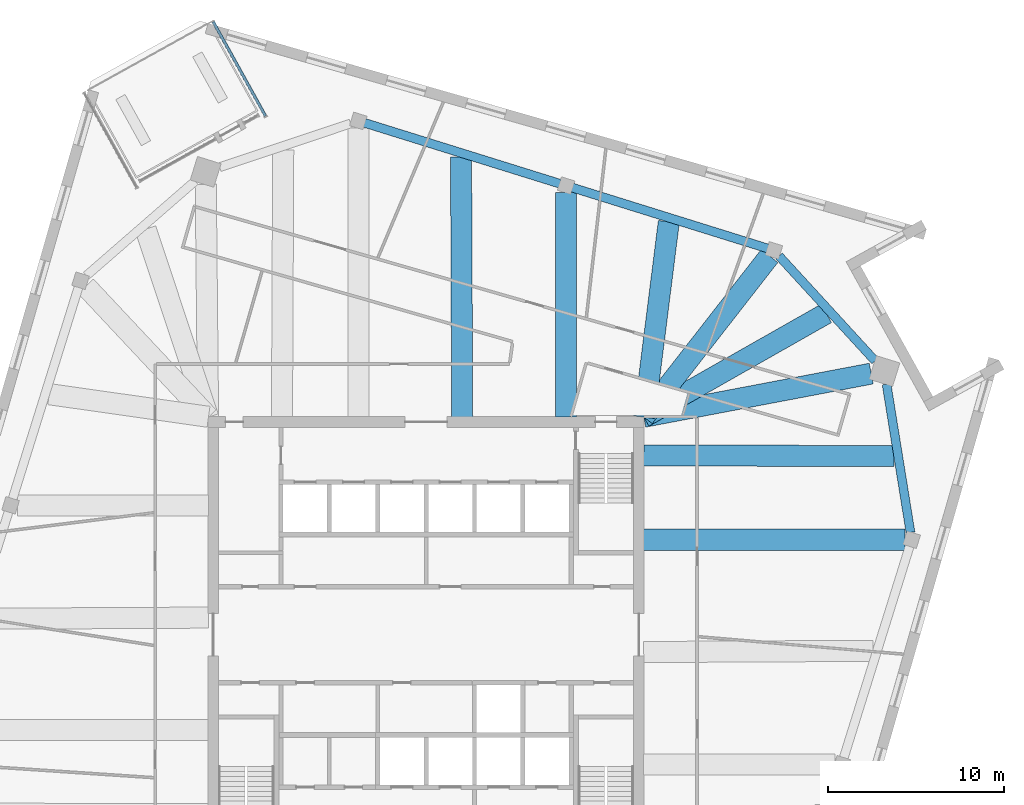
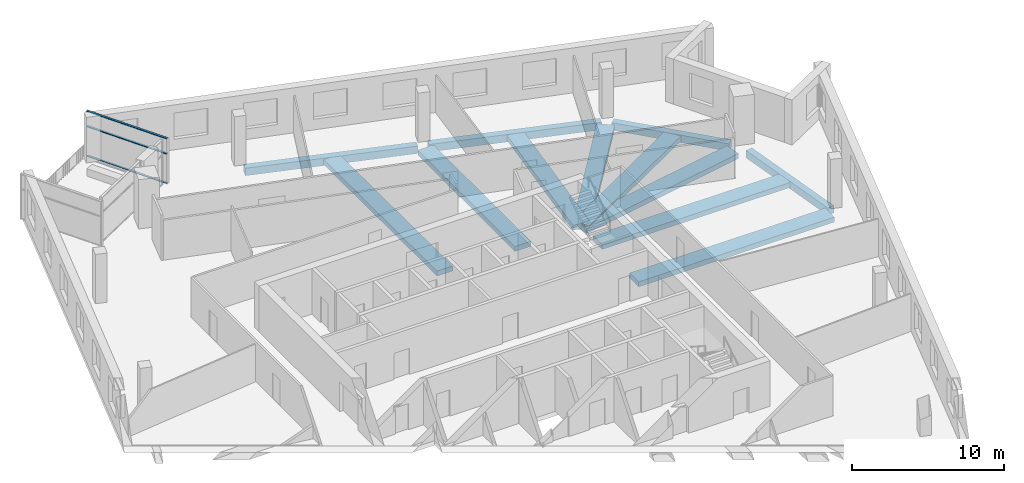
# One storey, part 3 of 15: 12 beams, 3 members, 1 element without a shape of its own.
"""IFC4 building model written with IfcOpenShell, lengths in metres."""

from ifc_helpers import new_model, si_unit, direction, frame, origin, origin_2d, place, context, subcontext, project, spatial, rectangle, extrude, material, material_profile, profile_set, type_object, element, aggregate, save


model = new_model("IFC4")

# Units and contexts
model_context = context("Model", 3, precision=1e-05, world=origin(), true_north=direction((0.0, 1.0)))
body_context = subcontext(model_context, "Body", "Model", "MODEL_VIEW")
ifc_project = project(units=[si_unit("LENGTHUNIT", "METRE"), si_unit("AREAUNIT", "SQUARE_METRE"), si_unit("VOLUMEUNIT", "CUBIC_METRE"), si_unit("PLANEANGLEUNIT", "RADIAN"), si_unit("MASSUNIT", "GRAM", prefix="KILO")], contexts=[model_context])

# Site, building, storey
site_placement = place(None, origin())
site = spatial("IfcSite", under=ifc_project, at=site_placement, CompositionType="ELEMENT")
building_placement = place(site_placement, origin())
building = spatial("IfcBuilding", under=site, at=building_placement, Name="Dilmun Exchange Tower", CompositionType="ELEMENT")
storey_placement = place(building_placement, frame((0.0, 0.0, 324.5)))
storey = spatial("IfcBuildingStorey", under=building, at=storey_placement, Name="L77", CompositionType="ELEMENT", Elevation=324.5)

# Curtain wall, members
ifc_material_1 = material(Name="Anodised aluminium and clear glass", Category="aluminium")
curtain_wall_type = type_object("IfcCurtainWallType", Name="Garden corner glazing", PredefinedType="NOTDEFINED", material=ifc_material_1)
curtain_wall_placement = place(storey_placement, origin())
curtain_wall = element("IfcCurtainWall", 1, at=curtain_wall_placement, inside=storey, type_object=curtain_wall_type, Name="Garden corner glazing run GC1.1", PredefinedType="NOTDEFINED")
ifc_material_2 = material(Name="Anodised aluminium", Category="aluminium")
ifc_material_profile_1 = material_profile(ifc_material_2, rectangle(XDim=0.159912109375, YDim=0.06005859375, at=origin_2d()), Name="AL 60x160")
ifc_profile_set_1 = profile_set([ifc_material_profile_1], Name="Anodised aluminium")
member_type = type_object("IfcMemberType", Name="Garden corner glazing transom 60 x 160", PredefinedType="USERDEFINED", material=ifc_profile_set_1)
member_1_placement = place(storey_placement, frame((-12.1064453125, 34.85693359375, 0.030029296875), z_axis=(0.484796793564, -0.874626816963, 0.0), x_axis=(0.874626816963, 0.484796793564, 0.0)))
member_1 = element("IfcMember", 2, at=member_1_placement, type_object=member_type, Name="GC1.1 transom 1.1", ObjectType="TRANSOM", PredefinedType="USERDEFINED", context=body_context, shape_type="SweptSolid", body=[
    extrude(rectangle(XDim=0.159912109375, YDim=0.06005859375, at=origin_2d()), origin(), (0.0, 0.0, 1.0), 6.126220703125),
])
member_2_placement = place(storey_placement, frame((-12.1064453125, 34.85693359375, 2.39990234375), z_axis=(0.484796793564, -0.874626816963, 0.0), x_axis=(0.874626816963, 0.484796793564, 0.0)))
member_2 = element("IfcMember", 3, at=member_2_placement, type_object=member_type, Name="GC1.1 transom 1.2", ObjectType="TRANSOM", PredefinedType="USERDEFINED", context=body_context, shape_type="SweptSolid", body=[
    extrude(rectangle(XDim=0.159912109375, YDim=0.06005859375, at=origin_2d()), origin(), (0.0, 0.0, 1.0), 6.126220703125),
])
member_3_placement = place(storey_placement, frame((-12.1064453125, 34.85693359375, 3.6201171875), z_axis=(0.484796793564, -0.874626816963, 0.0), x_axis=(0.874626816963, 0.484796793564, 0.0)))
member_3 = element("IfcMember", 4, at=member_3_placement, type_object=member_type, Name="GC1.1 transom 1.3", ObjectType="TRANSOM", PredefinedType="USERDEFINED", context=body_context, shape_type="SweptSolid", body=[
    extrude(rectangle(XDim=0.159912109375, YDim=0.06005859375, at=origin_2d()), origin(), (0.0, 0.0, 1.0), 6.126220703125),
])
aggregate(curtain_wall, [member_1, member_2, member_3])

# Beams
ifc_material_3 = material(Name="Concrete C40/50", Category="concrete")
ifc_material_profile_2 = material_profile(ifc_material_3, rectangle(XDim=1.199951171875, YDim=0.39990234375, at=origin_2d()), Name="1200 x 400")
ifc_profile_set_2 = profile_set([ifc_material_profile_2], Name="Concrete C40/50")
beam_type_1 = type_object("IfcBeamType", Name="RC band beam 1200 x 400 C40/50", PredefinedType="BEAM", material=ifc_profile_set_2)
beam_1_placement = place(storey_placement, frame((27.216064453125, 5.406005859375, -0.64990234375), z_axis=(-1.0, 0.0, 0.0), x_axis=(0.0, -1.0, 0.0)))
element("IfcBeam", 5, at=beam_1_placement, inside=storey, type_object=beam_type_1, Name="Band beam 12", PredefinedType="BEAM", context=body_context, shape_type="SweptSolid", body=[
    extrude(rectangle(XDim=1.199951171875, YDim=0.39990234375, at=origin_2d()), origin(), (0.0, 0.0, 1.0), 14.843017578125),
])
beam_2_placement = place(storey_placement, frame((25.30712890625, 14.85205078125, -0.64990234375), z_axis=(-0.982429348436, -0.18663487169, 0.0), x_axis=(0.18663487169, -0.982429348436, 0.0)))
element("IfcBeam", 6, at=beam_2_placement, inside=storey, type_object=beam_type_1, Name="Band beam 13", PredefinedType="BEAM", context=body_context, shape_type="SweptSolid", body=[
    extrude(rectangle(XDim=1.199951171875, YDim=0.39990234375, at=origin_2d()), origin(), (0.0, 0.0, 1.0), 13.164794921875),
])
beam_3_placement = place(storey_placement, frame((19.52685546875, 21.541259765625, -0.64990234375), z_axis=(-0.614856714099, -0.788638840743, 0.0), x_axis=(0.788638840743, -0.614856714099, 0.0)))
element("IfcBeam", 7, at=beam_3_placement, inside=storey, type_object=beam_type_1, Name="Band beam 14", PredefinedType="BEAM", context=body_context, shape_type="SweptSolid", body=[
    extrude(rectangle(XDim=1.199951171875, YDim=0.39990234375, at=origin_2d()), origin(), (0.0, 0.0, 1.0), 11.6181640625),
])
beam_4_placement = place(storey_placement, frame((7.9580078125, 25.14697265625, -0.64990234375), z_axis=(0.0, -1.0, 0.0), x_axis=(1.0, 0.0, 0.0)))
element("IfcBeam", 8, at=beam_4_placement, inside=storey, type_object=beam_type_1, Name="Band beam 15", PredefinedType="BEAM", context=body_context, shape_type="SweptSolid", body=[
    extrude(rectangle(XDim=1.199951171875, YDim=0.39990234375, at=origin_2d()), origin(), (0.0, 0.0, 1.0), 12.77392578125),
])
beam_5_placement = place(storey_placement, frame((26.614013671875, 10.1650390625, -0.550048828125), z_axis=(-0.999996910379, 0.002485806038, 0.0), x_axis=(-0.002485806038, -0.999996910379, 0.0)))
element("IfcBeam", 9, at=beam_5_placement, inside=storey, type_object=beam_type_1, Name="Band beam 28", PredefinedType="BEAM", context=body_context, shape_type="SweptSolid", body=[
    extrude(rectangle(XDim=1.199951171875, YDim=0.39990234375, at=origin_2d()), origin(), (0.0, 0.0, 1.0), 14.240966796875),
])
beam_6_placement = place(storey_placement, frame((22.752197265625, 18.275390625, -0.550048828125), z_axis=(-0.869690188955, -0.493597989496, 0.0), x_axis=(0.493597989496, -0.869690188955, 0.0)))
element("IfcBeam", 10, at=beam_6_placement, inside=storey, type_object=beam_type_1, Name="Band beam 29", PredefinedType="BEAM", context=body_context, shape_type="SweptSolid", body=[
    extrude(rectangle(XDim=1.199951171875, YDim=0.39990234375, at=origin_2d()), origin(), (0.0, 0.0, 1.0), 11.93017578125),
])
beam_7_placement = place(storey_placement, frame((13.79931640625, 23.485107421875, -0.550048828125), z_axis=(-0.125252659456, -0.992124876867, 0.0), x_axis=(0.992124876867, -0.125252659456, 0.0)))
element("IfcBeam", 11, at=beam_7_placement, inside=storey, type_object=beam_type_1, Name="Band beam 30", PredefinedType="BEAM", context=body_context, shape_type="SweptSolid", body=[
    extrude(rectangle(XDim=1.199951171875, YDim=0.39990234375, at=origin_2d()), origin(), (0.0, 0.0, 1.0), 11.199951171875),
])
beam_8_placement = place(storey_placement, frame((1.984619140625, 27.16650390625, -0.550048828125), z_axis=(0.004488848064, -0.999989925071, 0.0), x_axis=(0.999989925071, 0.004488848064, 0.0)))
element("IfcBeam", 12, at=beam_8_placement, inside=storey, type_object=beam_type_1, Name="Band beam 31", PredefinedType="BEAM", context=body_context, shape_type="SweptSolid", body=[
    extrude(rectangle(XDim=1.199951171875, YDim=0.39990234375, at=origin_2d()), origin(), (0.0, 0.0, 1.0), 14.793701171875),
])
ifc_material_profile_3 = material_profile(ifc_material_3, rectangle(XDim=0.5, YDim=0.60009765625, at=origin_2d()), Name="500 x 600")
ifc_profile_set_3 = profile_set([ifc_material_profile_3], Name="Concrete C40/50")
beam_type_2 = type_object("IfcBeamType", Name="RC ring beam 500 x 600 C40/50", PredefinedType="SPANDREL", material=ifc_profile_set_3)
beam_9_placement = place(storey_placement, frame((27.541015625, 5.820556640625, -0.64990234375), z_axis=(-0.159356501233, 0.987221102649, 0.0), x_axis=(-0.987221102649, -0.159356501233, 0.0)))
element("IfcBeam", 13, at=beam_9_placement, inside=storey, type_object=beam_type_2, Name="Ring beam 12", PredefinedType="SPANDREL", context=body_context, shape_type="SweptSolid", body=[
    extrude(rectangle(XDim=0.5, YDim=0.60009765625, at=origin_2d()), origin(), (0.0, 0.0, 1.0), 8.5380859375),
])
beam_10_placement = place(storey_placement, frame((25.531005859375, 15.572265625, -0.64990234375), z_axis=(-0.675535971399, 0.737327031476, 0.0), x_axis=(-0.737327031476, -0.675535971399, 0.0)))
element("IfcBeam", 14, at=beam_10_placement, inside=storey, type_object=beam_type_2, Name="Ring beam 13", PredefinedType="SPANDREL", context=body_context, shape_type="SweptSolid", body=[
    extrude(rectangle(XDim=0.5, YDim=0.60009765625, at=origin_2d()), origin(), (0.0, 0.0, 1.0), 8.087890625),
])
beam_11_placement = place(storey_placement, frame((19.4169921875, 21.968017578125, -0.64990234375), z_axis=(-0.95471613385, 0.297518241065, 0.0), x_axis=(-0.297518241065, -0.95471613385, 0.0)))
element("IfcBeam", 15, at=beam_11_placement, inside=storey, type_object=beam_type_2, Name="Ring beam 14", PredefinedType="SPANDREL", context=body_context, shape_type="SweptSolid", body=[
    extrude(rectangle(XDim=0.5, YDim=0.60009765625, at=origin_2d()), origin(), (0.0, 0.0, 1.0), 11.62939453125),
])
beam_12_placement = place(storey_placement, frame((7.601806640625, 25.64990234375, -0.64990234375), z_axis=(-0.954732553331, 0.297465546931, 0.0), x_axis=(-0.297465546931, -0.954732553331, 0.0)))
element("IfcBeam", 16, at=beam_12_placement, inside=storey, type_object=beam_type_2, Name="Ring beam 15", PredefinedType="SPANDREL", context=body_context, shape_type="SweptSolid", body=[
    extrude(rectangle(XDim=0.5, YDim=0.60009765625, at=origin_2d()), origin(), (0.0, 0.0, 1.0), 11.628173828125),
])

save(model, "model.ifc")
